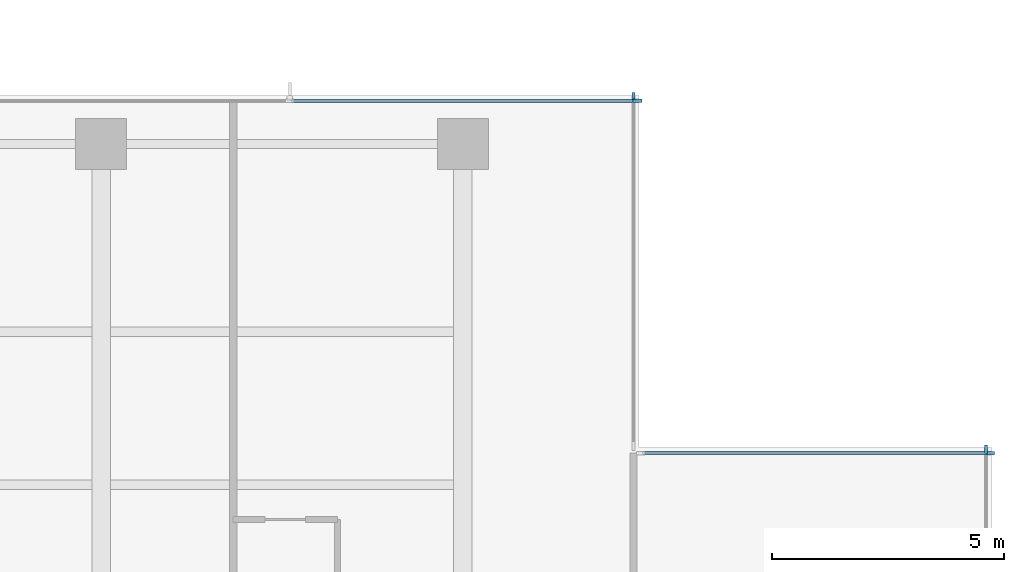
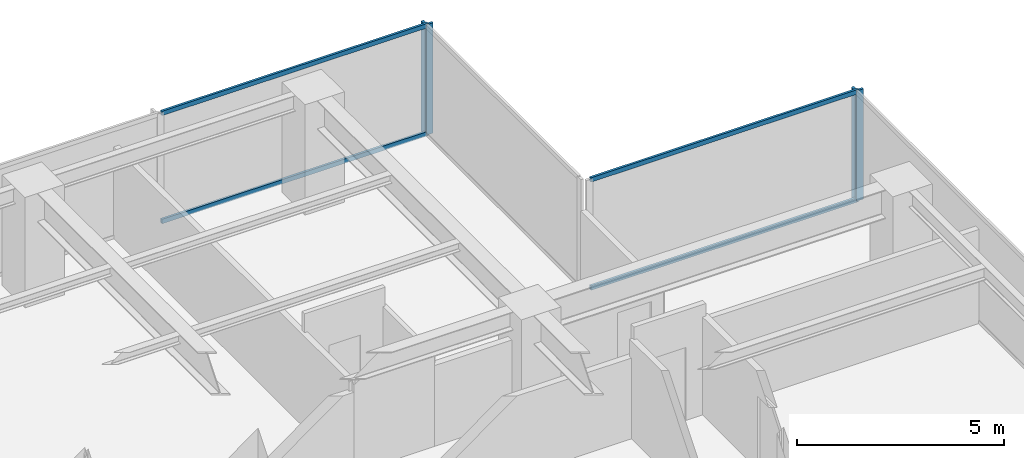
# One storey, part 5 of 15: 8 members, 4 elements without a shape of their own.
"""IFC4 building model written with IfcOpenShell, lengths in metres."""

from ifc_helpers import new_model, si_unit, direction, frame, origin, origin_2d, place, context, subcontext, project, spatial, rectangle, extrude, material, layer, layer_set, material_profile, profile_set, type_object, element, aggregate, save


model = new_model("IFC4")

# Units and contexts
model_context = context("Model", 3, precision=1e-05, world=origin(), true_north=direction((0.0, 1.0)))
body_context = subcontext(model_context, "Body", "Model", "MODEL_VIEW")
ifc_project = project(units=[si_unit("LENGTHUNIT", "METRE"), si_unit("AREAUNIT", "SQUARE_METRE"), si_unit("VOLUMEUNIT", "CUBIC_METRE"), si_unit("PLANEANGLEUNIT", "RADIAN"), si_unit("MASSUNIT", "GRAM", prefix="KILO")], contexts=[model_context])

# Site, building, storey
site_placement = place(None, origin())
site = spatial("IfcSite", under=ifc_project, at=site_placement, CompositionType="ELEMENT")
building_placement = place(site_placement, origin())
building = spatial("IfcBuilding", under=site, at=building_placement, Name="Qalmaran Belvedere Hotel", CompositionType="ELEMENT")
storey_placement = place(building_placement, frame((0.0, 0.0, 142.10009765625)))
storey = spatial("IfcBuildingStorey", under=building, at=storey_placement, Name="L35", CompositionType="ELEMENT", Elevation=142.10009765625)

# Curtain wall, member
ifc_material = material(Name="Anodised Bronze Aluminium", Category="aluminium")
ifc_layer = layer(ifc_material, 0.195068359375, Name="Anodised Bronze Aluminium")
ifc_layer_set = layer_set([ifc_layer], Name="Anodised Bronze Aluminium")
curtain_wall_type = type_object("IfcCurtainWallType", Name="CW4-TOWER-HIGHMID", PredefinedType="NOTDEFINED", material=ifc_layer_set)
curtain_wall_1_placement = place(storey_placement, origin())
curtain_wall_1 = element("IfcCurtainWall", 1, at=curtain_wall_1_placement, inside=storey, type_object=curtain_wall_type, Name="L35 Curtain Wall CW4", PredefinedType="NOTDEFINED")
ifc_material_profile_1 = material_profile(ifc_material, rectangle(XDim=0.070068359375, YDim=0.18994140625, at=origin_2d()), Name="CWM70X190")
ifc_profile_set_1 = profile_set([ifc_material_profile_1], Name="Anodised Bronze Aluminium")
member_type_1 = type_object("IfcMemberType", Name="CWM-70X190", PredefinedType="MULLION", material=ifc_profile_set_1)
member_1_placement = place(storey_placement, frame((56.080078125, 36.864990234375, 0.0), z_axis=(0.0, 0.0, 1.0), x_axis=(-1.0, 0.0, 0.0)))
member_1 = element("IfcMember", 2, at=member_1_placement, type_object=member_type_1, Name="CW4 mullion 4", PredefinedType="MULLION", context=body_context, shape_type="SweptSolid", body=[
    extrude(rectangle(XDim=0.070068359375, YDim=0.18994140625, at=origin_2d()), origin(), (0.0, 0.0, 1.0), 3.25),
])
aggregate(curtain_wall_1, [member_1])

curtain_wall_2_placement = place(storey_placement, origin())
curtain_wall_2 = element("IfcCurtainWall", 3, at=curtain_wall_2_placement, inside=storey, type_object=curtain_wall_type, Name="L35 Curtain Wall CW4", PredefinedType="NOTDEFINED")
member_2_placement = place(storey_placement, frame((56.1650390625, 36.780029296875, 0.0), z_axis=(0.0, 0.0, 1.0), x_axis=(0.0, -1.0, 0.0)))
member_2 = element("IfcMember", 4, at=member_2_placement, type_object=member_type_1, Name="CW4 mullion 1", PredefinedType="MULLION", context=body_context, shape_type="SweptSolid", body=[
    extrude(rectangle(XDim=0.070068359375, YDim=0.18994140625, at=origin_2d()), origin(), (0.0, 0.0, 1.0), 3.25),
])

curtain_wall_3_placement = place(storey_placement, origin())
curtain_wall_3 = element("IfcCurtainWall", 5, at=curtain_wall_3_placement, inside=storey, type_object=curtain_wall_type, Name="L35 Curtain Wall CW4", PredefinedType="NOTDEFINED")
member_3_placement = place(storey_placement, frame((48.47998046875, 44.465087890625, 0.0), z_axis=(0.0, 0.0, 1.0), x_axis=(-1.0, 0.0, 0.0)))
member_3 = element("IfcMember", 6, at=member_3_placement, type_object=member_type_1, Name="CW4 mullion 2", PredefinedType="MULLION", context=body_context, shape_type="SweptSolid", body=[
    extrude(rectangle(XDim=0.070068359375, YDim=0.18994140625, at=origin_2d()), origin(), (0.0, 0.0, 1.0), 3.25),
])
aggregate(curtain_wall_3, [member_3])

curtain_wall_4_placement = place(storey_placement, origin())
curtain_wall_4 = element("IfcCurtainWall", 7, at=curtain_wall_4_placement, inside=storey, type_object=curtain_wall_type, Name="L35 Curtain Wall CW4", PredefinedType="NOTDEFINED")
member_4_placement = place(storey_placement, frame((48.56494140625, 44.3798828125, 0.0), z_axis=(0.0, 0.0, 1.0), x_axis=(0.0, -1.0, 0.0)))
member_4 = element("IfcMember", 8, at=member_4_placement, type_object=member_type_1, Name="CW4 mullion 1", PredefinedType="MULLION", context=body_context, shape_type="SweptSolid", body=[
    extrude(rectangle(XDim=0.070068359375, YDim=0.18994140625, at=origin_2d()), origin(), (0.0, 0.0, 1.0), 3.25),
])

# Member
ifc_material_profile_2 = material_profile(ifc_material, rectangle(XDim=0.06494140625, YDim=0.1298828125, at=origin_2d()), Name="CWT65X130")
ifc_profile_set_2 = profile_set([ifc_material_profile_2], Name="Anodised Bronze Aluminium")
member_type_2 = type_object("IfcMemberType", Name="CWT-65X130", PredefinedType="USERDEFINED", material=ifc_profile_set_2)
member_5_placement = place(storey_placement, frame((56.1298828125, 36.780029296875, 0.032470703125), z_axis=(-1.0, 0.0, 0.0), x_axis=(0.0, -1.0, 0.0)))
member_5 = element("IfcMember", 9, at=member_5_placement, type_object=member_type_2, Name="CW4 transom 1.1", ObjectType="TRANSOM", PredefinedType="USERDEFINED", context=body_context, shape_type="SweptSolid", body=[
    extrude(rectangle(XDim=0.06494140625, YDim=0.1298828125, at=origin_2d()), origin(), (0.0, 0.0, 1.0), 7.4599609375),
])

member_6_placement = place(storey_placement, frame((56.1298828125, 36.780029296875, 3.21728515625), z_axis=(-1.0, 0.0, 0.0), x_axis=(0.0, -1.0, 0.0)))
member_6 = element("IfcMember", 10, at=member_6_placement, type_object=member_type_2, Name="CW4 transom 1.2", ObjectType="TRANSOM", PredefinedType="USERDEFINED", context=body_context, shape_type="SweptSolid", body=[
    extrude(rectangle(XDim=0.06494140625, YDim=0.1298828125, at=origin_2d()), origin(), (0.0, 0.0, 1.0), 7.4599609375),
])

aggregate(curtain_wall_2, [member_2, member_5, member_6])

member_7_placement = place(storey_placement, frame((48.530029296875, 44.3798828125, 0.032470703125), z_axis=(-1.0, 0.0, 0.0), x_axis=(0.0, -1.0, 0.0)))
member_7 = element("IfcMember", 11, at=member_7_placement, type_object=member_type_2, Name="CW4 transom 1.1", ObjectType="TRANSOM", PredefinedType="USERDEFINED", context=body_context, shape_type="SweptSolid", body=[
    extrude(rectangle(XDim=0.06494140625, YDim=0.1298828125, at=origin_2d()), origin(), (0.0, 0.0, 1.0), 7.428466796875),
])

member_8_placement = place(storey_placement, frame((48.530029296875, 44.3798828125, 3.21728515625), z_axis=(-1.0, 0.0, 0.0), x_axis=(0.0, -1.0, 0.0)))
member_8 = element("IfcMember", 12, at=member_8_placement, type_object=member_type_2, Name="CW4 transom 1.2", ObjectType="TRANSOM", PredefinedType="USERDEFINED", context=body_context, shape_type="SweptSolid", body=[
    extrude(rectangle(XDim=0.06494140625, YDim=0.1298828125, at=origin_2d()), origin(), (0.0, 0.0, 1.0), 7.428466796875),
])

aggregate(curtain_wall_4, [member_4, member_7, member_8])

save(model, "model.ifc")
